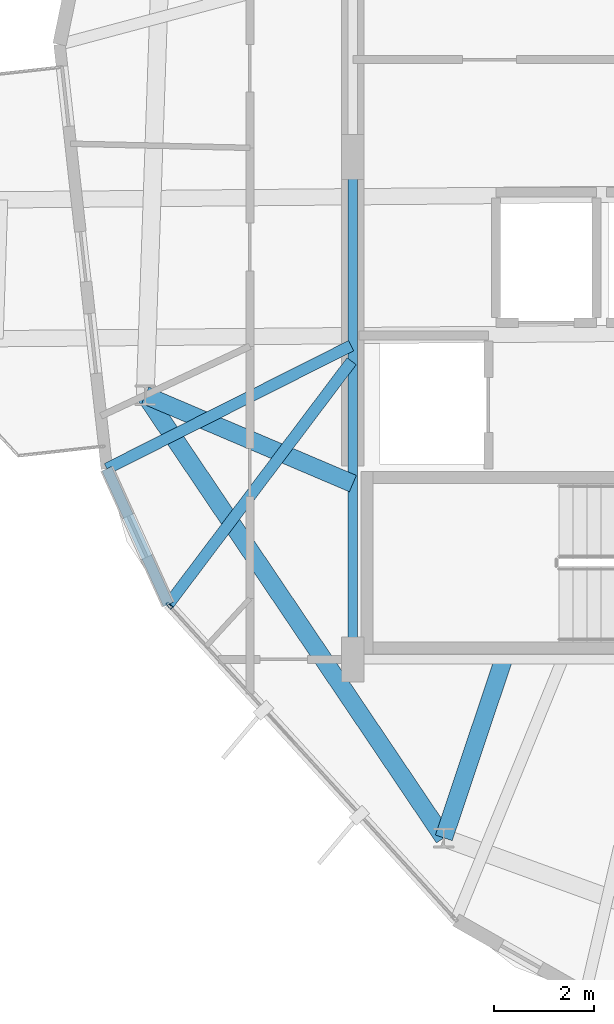
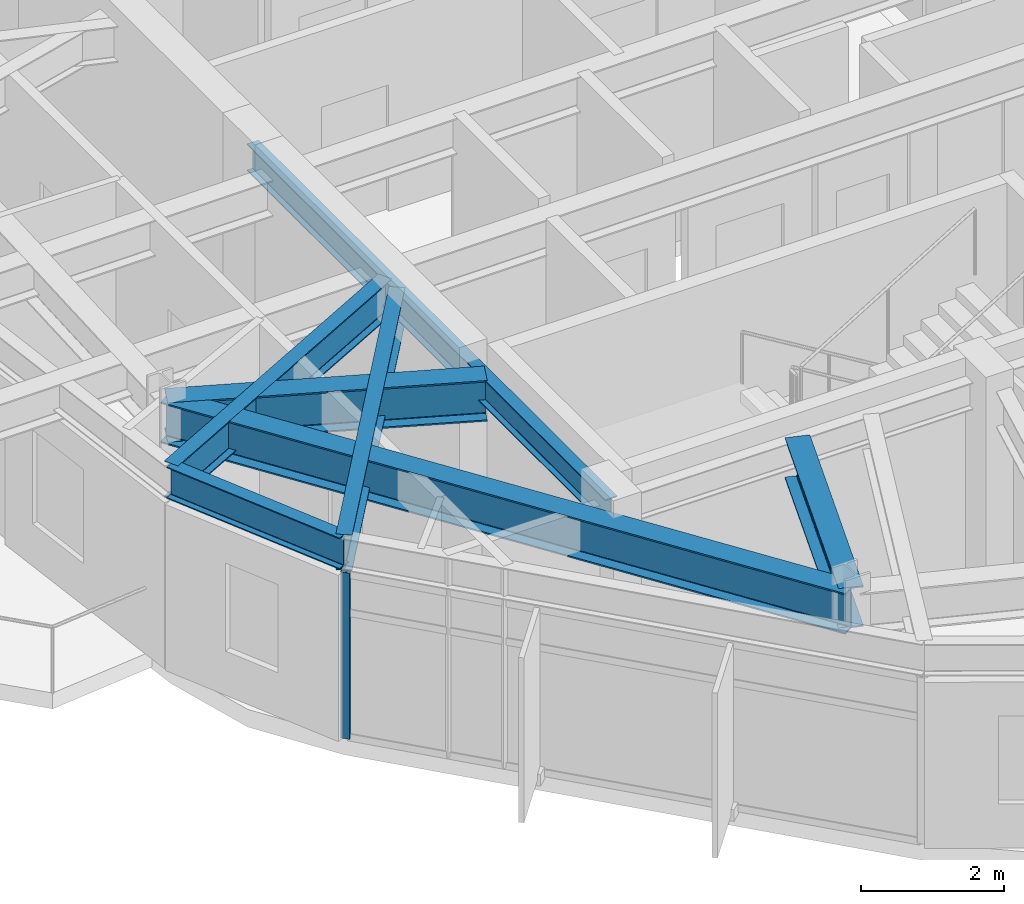
# One storey, part 3 of 23: 7 beams, 1 member, 1 element without a shape of its own.
"""IFC4 building model written with IfcOpenShell, lengths in metres."""

import ifcopenshell
import ifcopenshell.guid

model = None  # the IFC model being written
_history = None  # IfcOwnerHistory: only IFC2X3 demands one
_inside = {}  # id of a spatial element -> (the spatial element, [elements in it])
_under = {}  # id of a project, library or spatial element -> (it, [spatial elements below it])
_declared = {}  # id of a project -> (the project, [libraries it declares])
_typed = {}  # id of a type object -> (the type object, [elements of that type])
_made_of = {}  # id of a material, layer set ... -> (it, [elements and type objects made of it])


def new_model(schema):
    """Start an empty IFC model of exactly this schema.

    Asked for "IFC4X3", IfcOpenShell would pick the latest addendum, in which some entities
    have other attributes; the version numbers below select the first issue.
    IFC2X3 requires an IfcOwnerHistory on every rooted entity: one is made here for all.
    """
    global model, _history
    if schema == "IFC4X3":
        model = ifcopenshell.file(schema_version=(4, 3, 0, 0))
    else:
        model = ifcopenshell.file(schema=schema)
    _inside.clear()
    _under.clear()
    _declared.clear()
    _typed.clear()
    _made_of.clear()
    _history = None
    if model.schema == "IFC2X3":
        org = make("IfcOrganization", Name="unknown")
        user = make(
            "IfcPersonAndOrganization",
            ThePerson=make("IfcPerson", FamilyName="unknown"),
            TheOrganization=org,
        )
        app = make(
            "IfcApplication",
            ApplicationDeveloper=org,
            Version="unknown",
            ApplicationFullName="unknown",
            ApplicationIdentifier="unknown",
        )
        _history = make(
            "IfcOwnerHistory",
            OwningUser=user,
            OwningApplication=app,
            ChangeAction="ADDED",
            CreationDate=0,
        )
    return model


def make(cls, **values):
    """One entity of the class cls with the attributes given. An attribute that is None is left unset."""
    return model.create_entity(
        cls, **{name: value for name, value in values.items() if value is not None}
    )


def rooted(cls, **values):
    """An entity with a GlobalId (a new one), such as an element, a storey or a relation."""
    return make(cls, GlobalId=ifcopenshell.guid.new(), OwnerHistory=_history, **values)


def si_unit(unit_type, name, prefix=None):
    """IfcSIUnit, for example si_unit("LENGTHUNIT", "METRE", prefix="MILLI")."""
    return make("IfcSIUnit", UnitType=unit_type, Prefix=prefix, Name=name)


def assignment(units):
    """IfcUnitAssignment: the units of a project."""
    return None if units is None else make("IfcUnitAssignment", Units=units)


def point(xyz):
    """IfcCartesianPoint."""
    return None if xyz is None else make("IfcCartesianPoint", Coordinates=xyz)


def direction(xyz):
    """IfcDirection."""
    return None if xyz is None else make("IfcDirection", DirectionRatios=xyz)


def frame(location, z_axis=None, x_axis=None):
    """IfcAxis2Placement3D, a coordinate frame: its origin and axes. An axis left out is left unset."""
    return make(
        "IfcAxis2Placement3D",
        Location=point(location),
        Axis=direction(z_axis),
        RefDirection=direction(x_axis),
    )


def frame_2d(location, x_axis=None):
    """IfcAxis2Placement2D, a coordinate frame in the plane: its origin and x axis."""
    return make(
        "IfcAxis2Placement2D", Location=point(location), RefDirection=direction(x_axis)
    )


def origin():
    """The frame at (0, 0, 0) with its axes left unset."""
    return frame((0.0, 0.0, 0.0))


def origin_2d():
    """The frame at (0, 0) in the plane with its x axis left unset."""
    return frame_2d((0.0, 0.0))


def place(relative_to, where):
    """IfcLocalPlacement: puts the frame where relative to a parent placement (None: the world)."""
    return make(
        "IfcLocalPlacement", PlacementRelTo=relative_to, RelativePlacement=where
    )


def context(
    kind, dimensions, precision=None, world=None, true_north=None, identifier=None
):
    """IfcGeometricRepresentationContext, for example the 3D "Model" context."""
    return make(
        "IfcGeometricRepresentationContext",
        ContextIdentifier=identifier,
        ContextType=kind,
        CoordinateSpaceDimension=dimensions,
        Precision=precision,
        WorldCoordinateSystem=world,
        TrueNorth=true_north,
    )


def subcontext(parent, identifier, kind, view, scale=None):
    """IfcGeometricRepresentationSubContext, for example "Body" below "Model"."""
    return make(
        "IfcGeometricRepresentationSubContext",
        ContextIdentifier=identifier,
        ContextType=kind,
        ParentContext=parent,
        TargetScale=scale,
        TargetView=view,
    )


def project(units=None, contexts=None):
    """IfcProject with its units and contexts."""
    return rooted(
        "IfcProject",
        Name="project",
        RepresentationContexts=contexts,
        UnitsInContext=assignment(units),
    )


def spatial(cls, under=None, at=None, **own):
    """A site, building, storey or space (cls), placed at a placement, below another one or the project."""
    s = rooted(cls, ObjectPlacement=at, **own)
    if under is not None:
        _under.setdefault(under.id(), (under, []))[1].append(s)
    return s


def profile(cls, at=None, kind="AREA", **sizes):
    """A parametric profile (cls). Its sizes go by their IFC names, for example OverallWidth=200.0."""
    return make(cls, ProfileType=kind, Position=at, **sizes)


def hollow_rectangle(**sizes):
    """IfcRectangleHollowProfileDef."""
    return profile("IfcRectangleHollowProfileDef", **sizes)


def i_section(**sizes):
    """IfcIShapeProfileDef."""
    return profile("IfcIShapeProfileDef", **sizes)


def extrude(swept, where, along, depth):
    """IfcExtrudedAreaSolid: the profile swept, set in the frame where, extruded along a direction by depth."""
    return make(
        "IfcExtrudedAreaSolid",
        SweptArea=swept,
        Position=where,
        ExtrudedDirection=direction(along),
        Depth=depth,
    )


def shape(context_of_items, identifier, shape_type, items):
    """IfcShapeRepresentation: the items that make up one representation, for example the "Body"."""
    return make(
        "IfcShapeRepresentation",
        ContextOfItems=context_of_items,
        RepresentationIdentifier=identifier,
        RepresentationType=shape_type,
        Items=items,
    )


def material(Name=None, Category=None):
    """IfcMaterial."""
    return make("IfcMaterial", Name=Name, Category=Category)


def layer(
    of_material, thickness, ventilated=None, Name=None, Category=None, Priority=None
):
    """IfcMaterialLayer: one layer of a wall or slab, of a material (None: an air gap)."""
    return make(
        "IfcMaterialLayer",
        Material=of_material,
        LayerThickness=thickness,
        IsVentilated=ventilated,
        Name=Name,
        Category=Category,
        Priority=Priority,
    )


def layer_set(layers, Name=None):
    """IfcMaterialLayerSet."""
    return make("IfcMaterialLayerSet", MaterialLayers=layers, LayerSetName=Name)


def material_profile(
    of_material, cross_section, Name=None, Category=None, Priority=None
):
    """IfcMaterialProfile: a cross section and its material."""
    return make(
        "IfcMaterialProfile",
        Name=Name,
        Material=of_material,
        Profile=cross_section,
        Priority=Priority,
        Category=Category,
    )


def profile_set(profiles, Name=None, composite=None):
    """IfcMaterialProfileSet."""
    return make(
        "IfcMaterialProfileSet",
        Name=Name,
        MaterialProfiles=profiles,
        CompositeProfile=composite,
    )


def made_of(thing, what):
    """Note that an element or type object is made of a material, layer set ...; save() writes the relation."""
    if what is not None:
        _made_of.setdefault(what.id(), (what, []))[1].append(thing)
    return thing


def type_object(cls, material=None, **own):
    """A type object (cls), such as IfcWallType, which elements share."""
    return made_of(rooted(cls, **own), material)


def element(
    cls,
    number,
    at=None,
    inside=None,
    cuts=None,
    type_object=None,
    material=None,
    context=None,
    identifier="Body",
    shape_type=None,
    held_by="IfcProductDefinitionShape",
    body=None,
    shapes=None,
    **own,
):
    """One element of the class cls, such as IfcWall. Its Tag is "e" and its number.

    at: its placement. inside: the storey or other place that contains it. cuts: it is an
    opening in that element (IfcRelVoidsElement). A single representation is given by context,
    identifier, shape_type and body (its items); several are given by shapes. held_by: the class
    of the entity that holds the representations. save() writes the other relations.
    """
    e = rooted(cls, Tag="e%d" % number, ObjectPlacement=at, **own)
    if body is not None:
        shapes = [shape(context, identifier, shape_type, body)]
    if shapes is not None:
        e.Representation = make(held_by, Representations=shapes)
    if inside is not None:
        _inside.setdefault(inside.id(), (inside, []))[1].append(e)
    if cuts is not None:
        rooted(
            "IfcRelVoidsElement", RelatingBuildingElement=cuts, RelatedOpeningElement=e
        )
    if type_object is not None:
        _typed.setdefault(type_object.id(), (type_object, []))[1].append(e)
    return made_of(e, material)


def aggregate(whole, parts):
    """IfcRelAggregates: a whole, such as a stair, and the parts it consists of."""
    return rooted("IfcRelAggregates", RelatingObject=whole, RelatedObjects=parts)


def save(model, path):
    """Write the relations noted so far, then the file.

    IfcRelAggregates (storeys below a building ...), IfcRelContainedInSpatialStructure (elements
    in a storey), IfcRelDefinesByType, IfcRelAssociatesMaterial and IfcRelDeclares: one each for
    every whole, place, type object, material and project.
    """
    for whole, parts in _under.values():
        aggregate(whole, parts)
    for where, things in _inside.values():
        rooted(
            "IfcRelContainedInSpatialStructure",
            RelatedElements=things,
            RelatingStructure=where,
        )
    for kind, things in _typed.values():
        rooted("IfcRelDefinesByType", RelatedObjects=things, RelatingType=kind)
    for what, things in _made_of.values():
        rooted("IfcRelAssociatesMaterial", RelatedObjects=things, RelatingMaterial=what)
    for by, libraries in _declared.values():
        rooted("IfcRelDeclares", RelatingContext=by, RelatedDefinitions=libraries)
    model.write(path)


model = new_model("IFC4")

# Units and contexts
model_context = context("Model", 3, precision=1e-05, world=origin(), true_north=direction((0.0, 1.0)))
body_context = subcontext(model_context, "Body", "Model", "MODEL_VIEW")
ifc_project = project(units=[si_unit("LENGTHUNIT", "METRE"), si_unit("AREAUNIT", "SQUARE_METRE"), si_unit("VOLUMEUNIT", "CUBIC_METRE"), si_unit("PLANEANGLEUNIT", "RADIAN"), si_unit("MASSUNIT", "GRAM", prefix="KILO")], contexts=[model_context])

# Site, building, storey
site_placement = place(None, origin())
site = spatial("IfcSite", under=ifc_project, at=site_placement, CompositionType="ELEMENT")
building_placement = place(site_placement, origin())
building = spatial("IfcBuilding", under=site, at=building_placement, Name="Soratama Intermodal Tower", CompositionType="ELEMENT")
storey_placement = place(building_placement, frame((0.0, 0.0, 257.5)))
storey = spatial("IfcBuildingStorey", under=building, at=storey_placement, Name="L65", CompositionType="ELEMENT", Elevation=257.5)

# Beams
ifc_material_1 = material(Name="Structural steel ASTM A992 Grade 50", Category="steel")
ifc_material_profile_1 = material_profile(ifc_material_1, i_section(OverallWidth=0.19091796875, OverallDepth=0.4599609375, WebThickness=0.010009765625, FlangeThickness=0.01611328125, FilletRadius=0.010986328125, at=origin_2d()), Name="W18X55")
ifc_profile_set_1 = profile_set([ifc_material_profile_1], Name="Structural steel ASTM A992 Grade 50")
beam_type_1 = type_object("IfcBeamType", Name="BM-FLR-W18X55", PredefinedType="BEAM", material=ifc_profile_set_1)
beam_1_placement = place(storey_placement, frame((32.60009765625, 25.0, 3.219970703125), z_axis=(0.0, -1.0, 0.0), x_axis=(1.0, 0.0, 0.0)))
element("IfcBeam", 1, at=beam_1_placement, inside=storey, type_object=beam_type_1, Name="BM-L65-CRING-09", PredefinedType="BEAM", context=body_context, shape_type="SweptSolid", body=[
    extrude(i_section(OverallWidth=0.19091796875, OverallDepth=0.4599609375, WebThickness=0.010009765625, FlangeThickness=0.01611328125, FilletRadius=0.010986328125, at=origin_2d()), origin(), (0.0, 0.0, 1.0), 10.0),
])
ifc_material_2 = material(Name="Structural steel ASTM A992 Grade 50", Category="steel")
ifc_material_profile_2 = material_profile(ifc_material_2, i_section(OverallWidth=0.35498046875, OverallDepth=0.695068359375, WebThickness=0.015380859375, FlangeThickness=0.02490234375, FilletRadius=0.01611328125, at=origin_2d()), Name="W27X146")
ifc_profile_set_2 = profile_set([ifc_material_profile_2], Name="Structural steel ASTM A992 Grade 50")
beam_type_2 = type_object("IfcBeamType", Name="BM-RING-W27X146", PredefinedType="BEAM", material=ifc_profile_set_2)
beam_2_placement = place(storey_placement, frame((28.466064453125, 20.259033203125, 3.1025390625), z_axis=(0.559218025165, -0.829020627204, 0.0), x_axis=(0.829020627204, 0.559218025165, 0.0)))
element("IfcBeam", 2, at=beam_2_placement, inside=storey, type_object=beam_type_2, Name="BM-L65-RING-06", PredefinedType="BEAM", context=body_context, shape_type="SweptSolid", body=[
    extrude(i_section(OverallWidth=0.35498046875, OverallDepth=0.695068359375, WebThickness=0.015380859375, FlangeThickness=0.02490234375, FilletRadius=0.01611328125, at=origin_2d()), origin(), (0.0, 0.0, 1.0), 10.630615234375),
])
beam_3_placement = place(storey_placement, frame((32.60009765625, 18.5, 3.1025390625), z_axis=(-0.920165049547, 0.391530690485, 0.0), x_axis=(-0.391530690485, -0.920165049547, 0.0)))
element("IfcBeam", 3, at=beam_3_placement, inside=storey, type_object=beam_type_2, Name="BM-L65-RAD-06", PredefinedType="BEAM", context=body_context, shape_type="SweptSolid", body=[
    extrude(i_section(OverallWidth=0.35498046875, OverallDepth=0.695068359375, WebThickness=0.015380859375, FlangeThickness=0.02490234375, FilletRadius=0.01611328125, at=origin_2d()), origin(), (0.0, 0.0, 1.0), 4.49267578125),
])
beam_4_placement = place(storey_placement, frame((35.60009765625, 15.0, 3.1025390625), z_axis=(-0.317321993996, -0.948317853953, 0.0), x_axis=(0.948317853953, -0.317321993996, 0.0)))
element("IfcBeam", 4, at=beam_4_placement, inside=storey, type_object=beam_type_2, Name="BM-L65-RAD-07", PredefinedType="BEAM", context=body_context, shape_type="SweptSolid", body=[
    extrude(i_section(OverallWidth=0.35498046875, OverallDepth=0.695068359375, WebThickness=0.015380859375, FlangeThickness=0.02490234375, FilletRadius=0.01611328125, at=origin_2d()), origin(), (0.0, 0.0, 1.0), 3.74755859375),
])
ifc_material_3 = material(Name="Structural steel ASTM A992 Grade 50", Category="steel")
ifc_material_profile_3 = material_profile(ifc_material_3, i_section(OverallWidth=0.2099609375, OverallDepth=0.537109375, WebThickness=0.010986328125, FlangeThickness=0.017333984375, FilletRadius=0.012939453125, at=origin_2d()), Name="W21X68")
ifc_profile_set_3 = profile_set([ifc_material_profile_3], Name="Structural steel ASTM A992 Grade 50")
beam_type_3 = type_object("IfcBeamType", Name="BM-SPN-W21X68", PredefinedType="SPANDREL", material=ifc_profile_set_3)
beam_5_placement = place(storey_placement, frame((27.700927734375, 18.7958984375, 3.181396484375), z_axis=(0.412556508034, -0.910932010459, 0.0), x_axis=(0.910932010459, 0.412556508034, 0.0)))
element("IfcBeam", 5, at=beam_5_placement, inside=storey, type_object=beam_type_3, Name="BS-L65-CRN04", PredefinedType="SPANDREL", context=body_context, shape_type="SweptSolid", body=[
    extrude(i_section(OverallWidth=0.2099609375, OverallDepth=0.537109375, WebThickness=0.010986328125, FlangeThickness=0.017333984375, FilletRadius=0.012939453125, at=origin_2d()), origin(), (0.0, 0.0, 1.0), 2.967041015625),
])
ifc_material_4 = material(Name="Structural steel ASTM A992 Grade 50", Category="steel")
ifc_material_profile_4 = material_profile(ifc_material_4, i_section(OverallWidth=0.22900390625, OverallDepth=0.612060546875, WebThickness=0.011962890625, FlangeThickness=0.01953125, FilletRadius=0.012939453125, at=origin_2d()), Name="W24X84")
ifc_profile_set_4 = profile_set([ifc_material_profile_4], Name="Structural steel ASTM A992 Grade 50")
beam_type_4 = type_object("IfcBeamType", Name="BM-TIE-W24X84", PredefinedType="BEAM", material=ifc_profile_set_4)
beam_6_placement = place(storey_placement, frame((32.56396484375, 21.2451171875, 3.14404296875), z_axis=(-0.893123115612, -0.449812294584, 0.0), x_axis=(0.449812294584, -0.893123115612, 0.0)))
element("IfcBeam", 6, at=beam_6_placement, inside=storey, type_object=beam_type_4, Name="BM-L65-TIE1-04", PredefinedType="BEAM", context=body_context, shape_type="SweptSolid", body=[
    extrude(i_section(OverallWidth=0.22900390625, OverallDepth=0.612060546875, WebThickness=0.011962890625, FlangeThickness=0.01953125, FilletRadius=0.012939453125, at=origin_2d()), origin(), (0.0, 0.0, 1.0), 5.445068359375),
])
beam_7_placement = place(storey_placement, frame((32.575927734375, 20.93701171875, 3.14404296875), z_axis=(-0.601885209437, -0.798582616052, 0.0), x_axis=(0.798582616052, -0.601885209437, 0.0)))
element("IfcBeam", 7, at=beam_7_placement, inside=storey, type_object=beam_type_4, Name="BM-L65-TIE0-05", PredefinedType="BEAM", context=body_context, shape_type="SweptSolid", body=[
    extrude(i_section(OverallWidth=0.22900390625, OverallDepth=0.612060546875, WebThickness=0.011962890625, FlangeThickness=0.01953125, FilletRadius=0.012939453125, at=origin_2d()), origin(), (0.0, 0.0, 1.0), 6.065673828125),
])

# Curtain wall, member
ifc_material_5 = material(Name="Double-glazed aluminium curtain wall", Category="aluminium")
ifc_layer = layer(ifc_material_5, 0.159912109375)
ifc_layer_set = layer_set([ifc_layer], Name="Double-glazed aluminium curtain wall")
curtain_wall_type = type_object("IfcCurtainWallType", Name="CW-SYS-5", PredefinedType="NOTDEFINED", material=ifc_layer_set)
curtain_wall_placement = place(storey_placement, origin())
curtain_wall = element("IfcCurtainWall", 8, at=curtain_wall_placement, inside=storey, type_object=curtain_wall_type, Name="L65 Faceted Curtain Wall F05", PredefinedType="NOTDEFINED")
ifc_material_6 = material(Name="Anodised aluminium AA 6063-T6", Category="aluminium")
ifc_material_profile_5 = material_profile(ifc_material_6, hollow_rectangle(XDim=0.06494140625, YDim=0.139892578125, WallThickness=0.0048828125, InnerFilletRadius=0.0048828125, OuterFilletRadius=0.010009765625, at=origin_2d()), Name="CWM140X65X5")
ifc_profile_set_5 = profile_set([ifc_material_profile_5], Name="Anodised aluminium AA 6063-T6")
member_type = type_object("IfcMemberType", Name="MT-CWM-5", PredefinedType="MULLION", material=ifc_profile_set_5)
member_placement = place(storey_placement, frame((28.94482421875, 16.071044921875, 0.0), z_axis=(0.0, 0.0, 1.0), x_axis=(0.73893310273, 0.673778798783, 0.0)))
member = element("IfcMember", 9, at=member_placement, type_object=member_type, Name="CW-5 mullion 1", PredefinedType="MULLION", context=body_context, shape_type="SweptSolid", body=[
    extrude(hollow_rectangle(XDim=0.06494140625, YDim=0.139892578125, WallThickness=0.0048828125, InnerFilletRadius=0.0048828125, OuterFilletRadius=0.010009765625, at=origin_2d()), origin(), (0.0, 0.0, 1.0), 2.8291015625),
])
aggregate(curtain_wall, [member])

save(model, "model.ifc")
